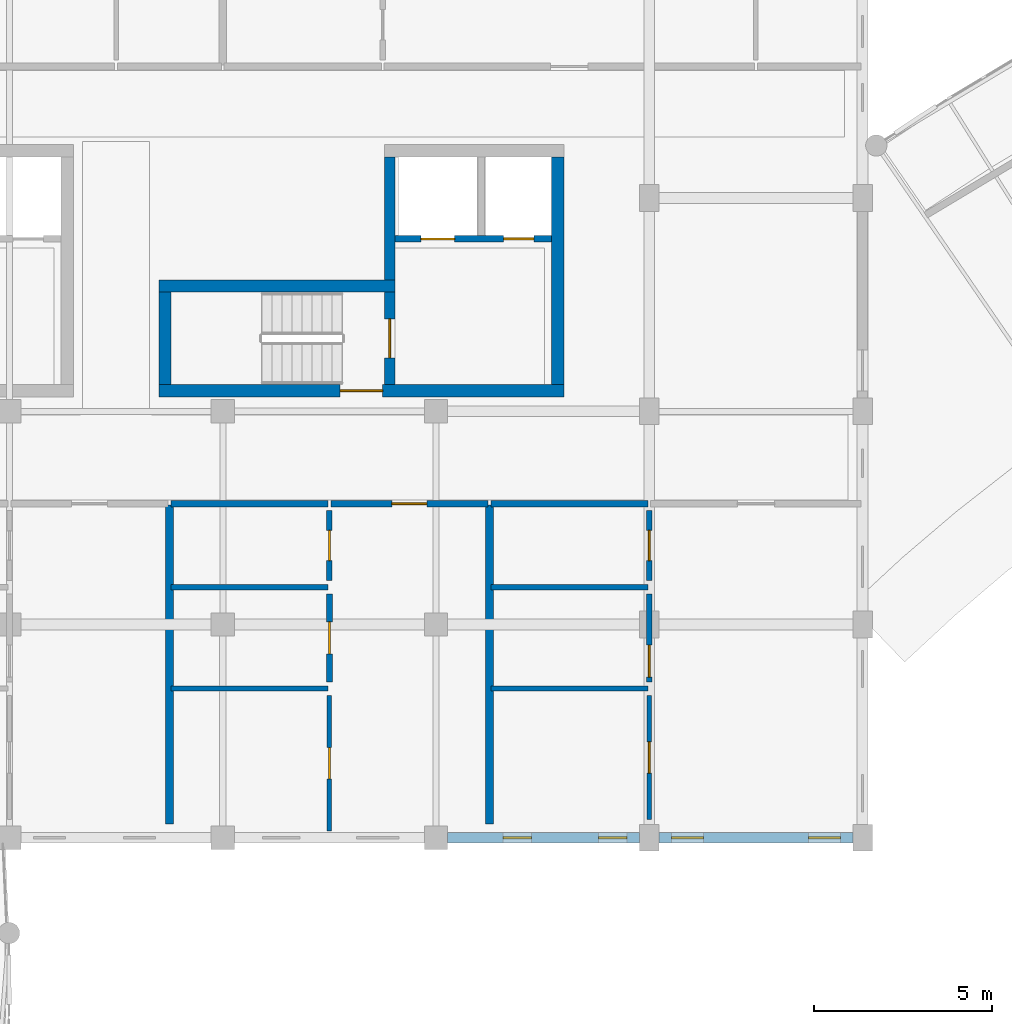
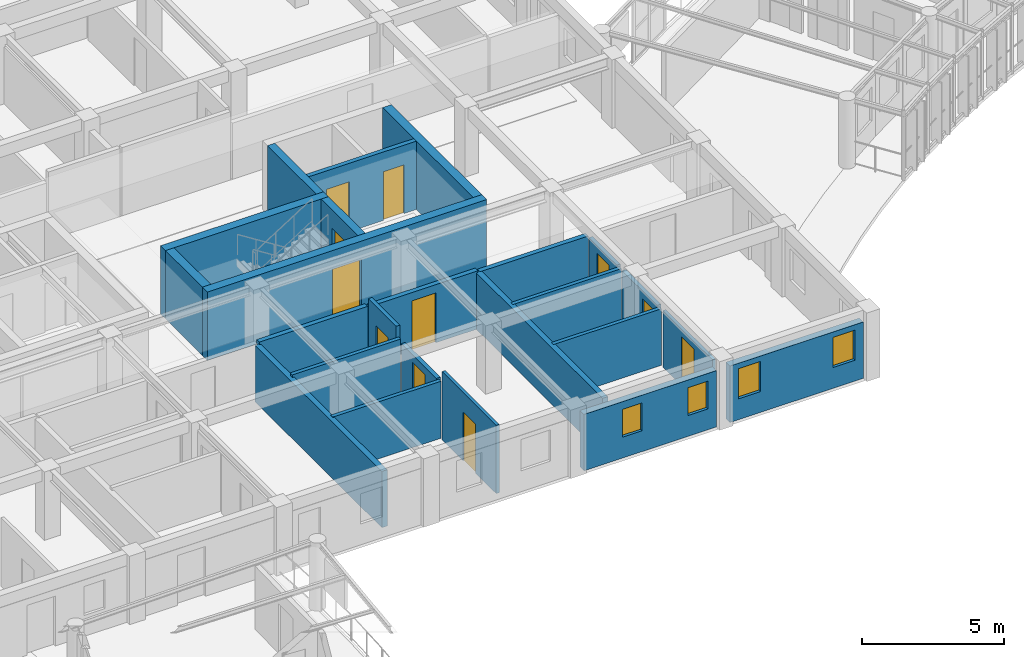
# One storey, part 70 of 100: 24 walls, 11 doors, 4 windows, 15 openings.
"""IFC4 building model written with IfcOpenShell, lengths in metres."""

from ifc_helpers import new_model, si_unit, direction, frame, frame_2d, origin, place, context, subcontext, project, spatial, rectangle, extrude, material, layer, layer_set, type_object, element, fill, save


model = new_model("IFC4")

# Units and contexts
model_context = context("Model", 3, precision=1e-05, world=origin(), true_north=direction((0.0, 1.0)))
body_context = subcontext(model_context, "Body", "Model", "MODEL_VIEW")
ifc_project = project(units=[si_unit("LENGTHUNIT", "METRE"), si_unit("AREAUNIT", "SQUARE_METRE"), si_unit("VOLUMEUNIT", "CUBIC_METRE"), si_unit("PLANEANGLEUNIT", "RADIAN"), si_unit("MASSUNIT", "GRAM", prefix="KILO"), si_unit("POWERUNIT", "WATT"), si_unit("THERMODYNAMICTEMPERATUREUNIT", "KELVIN")], contexts=[model_context])

# Site, building, storey
site_placement = place(None, origin())
site = spatial("IfcSite", under=ifc_project, at=site_placement, CompositionType="ELEMENT")
building_placement = place(site_placement, origin())
building = spatial("IfcBuilding", under=site, at=building_placement, Name="Ruvembo Vaulted Housing Court", CompositionType="ELEMENT")
storey_placement = place(building_placement, frame((0.0, 0.0, 14.10009765625)))
storey = spatial("IfcBuildingStorey", under=building, at=storey_placement, Name="L04", CompositionType="ELEMENT", Elevation=14.10009765625)

# Wall, opening, door
ifc_material_1 = material(Name="Concrete C35/45", Category="concrete")
ifc_layer_1 = layer(ifc_material_1, 0.300048828125, Name="Concrete C35/45")
ifc_layer_set_1 = layer_set([ifc_layer_1], Name="Concrete C35/45")
wall_type_1 = type_object("IfcWallType", Name="WL-CORE-300", PredefinedType="SHEAR", material=ifc_layer_set_1)
wall_1_placement = place(storey_placement, frame((70.699951171875, 90.75, 0.0), z_axis=(0.0, 0.0, 1.0), x_axis=(0.0, 1.0, 0.0)))
wall_1 = element("IfcWall", 1, at=wall_1_placement, inside=storey, type_object=wall_type_1, Name="Core B2 L04 Stair-Lobby Shear Wall", PredefinedType="SHEAR", context=body_context, shape_type="SweptSolid", body=[
    extrude(rectangle(XDim=2.60009765625, YDim=0.300048828125, at=frame_2d((1.300048828125, 0.0))), origin(), (0.0, 0.0, 1.0), 2.949951171875),
])
opening_1_placement = place(wall_1_placement, frame((0.75, 0.0, 0.0)))
opening_1 = element("IfcOpeningElement", 2, at=opening_1_placement, cuts=wall_1, Name="Opening SD2", PredefinedType="OPENING", context=body_context, shape_type="SweptSolid", body=[
    extrude(rectangle(XDim=1.10009765625, YDim=2.14990234375, at=frame_2d((0.550048828125, 1.074951171875))), frame((0.0, 0.159912109375, 0.0), z_axis=(0.0, -1.0, 0.0), x_axis=(1.0, 0.0, 0.0)), (0.0, 0.0, 1.0), 0.320068359375),
])
ifc_material_2 = material(Name="Galvanised Painted Steel", Category="steel")
door_type_1 = type_object("IfcDoorType", Name="DR-STAIR-1100x2150", OperationType="NOTDEFINED", PredefinedType="DOOR", material=ifc_material_2)
door_1_placement = place(opening_1_placement, origin())
door_1 = element("IfcDoor", 3, at=door_1_placement, inside=storey, type_object=door_type_1, Name="Stair ST-B2 L04 Fire Door", OperationType="SINGLE_SWING_RIGHT", OverallHeight=2.14990234375, OverallWidth=1.10009765625, PredefinedType="DOOR", context=body_context, shape_type="SweptSolid", body=[
    extrude(rectangle(XDim=1.10009765625, YDim=2.14990234375, at=frame_2d((0.550048828125, 1.074951171875))), frame((0.0, 0.02490234375, 0.0), z_axis=(0.0, -1.0, 0.0), x_axis=(1.0, 0.0, 0.0)), (0.0, 0.0, 1.0), 0.050048828125),
])
fill(opening_1, door_1)

# Wall
wall_2_placement = place(storey_placement, frame((70.699951171875, 93.699951171875, 0.0), z_axis=(0.0, 0.0, 1.0), x_axis=(0.0, 1.0, 0.0)))
element("IfcWall", 4, at=wall_2_placement, inside=storey, type_object=wall_type_1, Name="Core B2 L04 Upper West Shear Wall", PredefinedType="SHEAR", context=body_context, shape_type="SweptSolid", body=[
    extrude(rectangle(XDim=3.449951171875, YDim=0.300048828125, at=frame_2d((1.72509765625, 0.0))), origin(), (0.0, 0.0, 1.0), 2.949951171875),
])

# Wall, opening, door
ifc_layer_2 = layer(ifc_material_1, 0.35009765625, Name="Concrete C35/45")
ifc_layer_set_2 = layer_set([ifc_layer_2], Name="Concrete C35/45")
wall_type_2 = type_object("IfcWallType", Name="WL-CORE-350", PredefinedType="SHEAR", material=ifc_layer_set_2)
wall_3_placement = place(storey_placement, frame((64.199951171875, 90.574951171875, 0.0), z_axis=(0.0, 0.0, 1.0), x_axis=(1.0, 0.0, 0.0)))
wall_3 = element("IfcWall", 5, at=wall_3_placement, inside=storey, type_object=wall_type_2, Name="Core B2 L04 South Shear Wall", PredefinedType="SHEAR", context=body_context, shape_type="SweptSolid", body=[
    extrude(rectangle(XDim=11.400146484375, YDim=0.35009765625, at=frame_2d((5.7001953125, 0.0))), origin(), (0.0, 0.0, 1.0), 2.949951171875),
])
opening_2_placement = place(wall_3_placement, frame((5.10009765625, 0.0, 0.0)))
opening_2 = element("IfcOpeningElement", 6, at=opening_2_placement, cuts=wall_3, Name="Opening LD3", PredefinedType="OPENING", context=body_context, shape_type="SweptSolid", body=[
    extrude(rectangle(XDim=1.199951171875, YDim=2.14990234375, at=frame_2d((0.60009765625, 1.074951171875))), frame((0.0, 0.18505859375, 0.0), z_axis=(0.0, -1.0, 0.0), x_axis=(1.0, 0.0, 0.0)), (0.0, 0.0, 1.0), 0.3701171875),
])
door_type_2 = type_object("IfcDoorType", Name="DR-LOB-1200x2150", OperationType="NOTDEFINED", PredefinedType="DOOR", material=ifc_material_2)
door_2_placement = place(opening_2_placement, origin())
door_2 = element("IfcDoor", 7, at=door_2_placement, inside=storey, type_object=door_type_2, Name="Core B2 L04 Lobby Fire Door", OperationType="SINGLE_SWING_LEFT", OverallHeight=2.14990234375, OverallWidth=1.199951171875, PredefinedType="DOOR", context=body_context, shape_type="SweptSolid", body=[
    extrude(rectangle(XDim=1.199951171875, YDim=2.14990234375, at=frame_2d((0.60009765625, 1.074951171875))), frame((0.0, 0.02490234375, 0.0), z_axis=(0.0, -1.0, 0.0), x_axis=(1.0, 0.0, 0.0)), (0.0, 0.0, 1.0), 0.050048828125),
])
fill(opening_2, door_2)

# Walls
wall_4_placement = place(storey_placement, frame((70.85009765625, 93.52490234375, 0.0), z_axis=(0.0, 0.0, 1.0), x_axis=(-1.0, 0.0, 0.0)))
element("IfcWall", 8, at=wall_4_placement, inside=storey, type_object=wall_type_2, Name="Core B2 L04 Stair North Shear Wall", PredefinedType="SHEAR", context=body_context, shape_type="SweptSolid", body=[
    extrude(rectangle(XDim=6.650146484375, YDim=0.35009765625, at=frame_2d((3.3251953125, 0.0))), origin(), (0.0, 0.0, 1.0), 2.949951171875),
])
wall_5_placement = place(storey_placement, frame((64.375, 93.35009765625, 0.0), z_axis=(0.0, 0.0, 1.0), x_axis=(0.0, -1.0, 0.0)))
element("IfcWall", 9, at=wall_5_placement, inside=storey, type_object=wall_type_2, Name="Core B2 L04 Stair West Shear Wall", PredefinedType="SHEAR", context=body_context, shape_type="SweptSolid", body=[
    extrude(rectangle(XDim=2.60009765625, YDim=0.35009765625, at=frame_2d((1.300048828125, 0.0))), origin(), (0.0, 0.0, 1.0), 2.949951171875),
])
wall_6_placement = place(storey_placement, frame((75.425048828125, 90.75, 0.0), z_axis=(0.0, 0.0, 1.0), x_axis=(0.0, 1.0, 0.0)))
element("IfcWall", 10, at=wall_6_placement, inside=storey, type_object=wall_type_2, Name="Core B2 L04 East Shear Wall", PredefinedType="SHEAR", context=body_context, shape_type="SweptSolid", body=[
    extrude(rectangle(XDim=6.39990234375, YDim=0.35009765625, at=frame_2d((3.199951171875, 0.0))), origin(), (0.0, 0.0, 1.0), 2.949951171875),
])
ifc_material_3 = material(Name="Concrete Blockwork 190", Category="masonry")
ifc_layer_3 = layer(ifc_material_3, 0.18994140625, Name="Concrete Blockwork 190")
ifc_layer_set_3 = layer_set([ifc_layer_3], Name="Concrete Blockwork 190")
wall_type_3 = type_object("IfcWallType", Name="WL-CORR-190", PredefinedType="SOLIDWALL", material=ifc_layer_set_3)
wall_7_placement = place(storey_placement, frame((64.5400390625, 87.39990234375, 0.0), z_axis=(0.0, 0.0, 1.0), x_axis=(1.0, 0.0, 0.0)))
element("IfcWall", 11, at=wall_7_placement, inside=storey, type_object=wall_type_3, Name="L04 Flat B-L04-S3 Corridor Wall WL-INT-L04-01154", PredefinedType="SOLIDWALL", context=body_context, shape_type="SweptSolid", body=[
    extrude(rectangle(XDim=4.419921875, YDim=0.18994140625, at=frame_2d((2.2099609375, 0.0))), origin(), (0.0, 0.0, 1.0), 2.5478515625),
])

# Wall, opening, door
wall_8_placement = place(storey_placement, frame((69.0400390625, 87.39990234375, 0.0), z_axis=(0.0, 0.0, 1.0), x_axis=(1.0, 0.0, 0.0)))
wall_8 = element("IfcWall", 12, at=wall_8_placement, inside=storey, type_object=wall_type_3, Name="L04 Flat B-L04-S3 Entrance WL-INT-L04-01155", PredefinedType="SOLIDWALL", context=body_context, shape_type="SweptSolid", body=[
    extrude(rectangle(XDim=4.419921875, YDim=0.18994140625, at=frame_2d((2.2099609375, 0.0))), origin(), (0.0, 0.0, 1.0), 2.5078125),
])
opening_3_placement = place(wall_8_placement, frame((1.719970703125, 0.0, 0.0)))
opening_3 = element("IfcOpeningElement", 13, at=opening_3_placement, cuts=wall_8, Name="Opening FD2", PredefinedType="OPENING", context=body_context, shape_type="SweptSolid", body=[
    extrude(rectangle(XDim=0.97998046875, YDim=2.14990234375, at=frame_2d((0.489990234375, 1.074951171875))), frame((0.0, 0.10498046875, 0.0), z_axis=(0.0, -1.0, 0.0), x_axis=(1.0, 0.0, 0.0)), (0.0, 0.0, 1.0), 0.2099609375),
])
ifc_material_4 = material(Name="FSC Hardwood and Engineered Timber", Category="wood")
door_type_3 = type_object("IfcDoorType", Name="DR-FLAT-0980x2150", OperationType="NOTDEFINED", PredefinedType="DOOR", material=ifc_material_4)
door_3_placement = place(opening_3_placement, origin())
door_3 = element("IfcDoor", 14, at=door_3_placement, inside=storey, type_object=door_type_3, Name="L04 Flat B-L04-S3 Entrance Door DR-INT-L04-00646", OperationType="SINGLE_SWING_RIGHT", OverallHeight=2.14990234375, OverallWidth=0.97998046875, PredefinedType="DOOR", context=body_context, shape_type="SweptSolid", body=[
    extrude(rectangle(XDim=0.97998046875, YDim=2.14990234375, at=frame_2d((0.489990234375, 1.074951171875))), frame((0.0, 0.02490234375, 0.0), z_axis=(0.0, -1.0, 0.0), x_axis=(1.0, 0.0, 0.0)), (0.0, 0.0, 1.0), 0.050048828125),
])
fill(opening_3, door_3)

# Walls
wall_9_placement = place(storey_placement, frame((73.5400390625, 87.39990234375, 0.0), z_axis=(0.0, 0.0, 1.0), x_axis=(1.0, 0.0, 0.0)))
element("IfcWall", 15, at=wall_9_placement, inside=storey, type_object=wall_type_3, Name="L04 Flat B-L04-S4 Corridor Wall WL-INT-L04-01161", PredefinedType="SOLIDWALL", context=body_context, shape_type="SweptSolid", body=[
    extrude(rectangle(XDim=4.419921875, YDim=0.18994140625, at=frame_2d((2.2099609375, 0.0))), origin(), (0.0, 0.0, 1.0), 2.431884765625),
])
ifc_material_5 = material(Name="Acoustic Masonry Demising 220", Category="masonry")
ifc_layer_4 = layer(ifc_material_5, 0.219970703125, Name="Acoustic Masonry Demising 220")
ifc_layer_set_4 = layer_set([ifc_layer_4], Name="Acoustic Masonry Demising 220")
wall_type_4 = type_object("IfcWallType", Name="WL-DEM-200", PredefinedType="SOLIDWALL", material=ifc_layer_set_4)
for number, where, z_axis, x_axis, name in (
    (16, (64.5, 78.389892578125, 0.0), (0.0, 0.0, 1.0), (0.0, 1.0, 0.0), "L04 Demising B-L04-S2 WL-INT-L04-01145"),
    (17, (73.5, 78.389892578125, 0.0), (0.0, 0.0, 1.0), (0.0, 1.0, 0.0), "L04 Demising B-L04-S3 WL-INT-L04-01153"),
):
    element("IfcWall", number, at=place(storey_placement, frame(where, z_axis=z_axis, x_axis=x_axis)), inside=storey, type_object=wall_type_4, Name=name, PredefinedType="SOLIDWALL", context=body_context, shape_type="SweptSolid", body=[
        extrude(rectangle(XDim=8.97021484375, YDim=0.219970703125, at=frame_2d((4.485107421875, 0.0))), origin(), (0.0, 0.0, 1.0), 2.431884765625),
    ])

# Wall, openings, windows
ifc_material_6 = material(Name="Rendered Masonry 285", Category="masonry")
ifc_layer_5 = layer(ifc_material_6, 0.284912109375, Name="Rendered Masonry 285")
ifc_layer_set_5 = layer_set([ifc_layer_5], Name="Rendered Masonry 285")
wall_type_5 = type_object("IfcWallType", Name="WL-EXT-285", PredefinedType="STANDARD", material=ifc_layer_set_5)
wall_10_placement = place(storey_placement, frame((72.324951171875, 78.0, 0.0), z_axis=(0.0, 0.0, 1.0), x_axis=(1.0, 0.0, 0.0)))
wall_10 = element("IfcWall", 18, at=wall_10_placement, inside=storey, type_object=wall_type_5, Name="Block B L04 Exterior Wall COURTYARD #5", PredefinedType="STANDARD", context=body_context, shape_type="SweptSolid", body=[
    extrude(rectangle(XDim=5.400146484375, YDim=0.284912109375, at=frame_2d((2.7001953125, 0.0))), origin(), (0.0, 0.0, 1.0), 2.431884765625),
])
opening_4_placement = place(wall_10_placement, frame((1.56494140625, 0.0, 0.89990234375)))
opening_4 = element("IfcOpeningElement", 19, at=opening_4_placement, cuts=wall_10, Name="Opening W02", PredefinedType="OPENING", context=body_context, shape_type="SweptSolid", body=[
    extrude(rectangle(XDim=0.800048828125, YDim=1.199951171875, at=frame_2d((0.39990234375, 0.60009765625))), frame((0.0, 0.15234375, 0.0), z_axis=(0.0, -1.0, 0.0), x_axis=(1.0, 0.0, 0.0)), (0.0, 0.0, 1.0), 0.304931640625),
])
opening_5_placement = place(wall_10_placement, frame((4.25, 0.0, 0.89990234375)))
opening_5 = element("IfcOpeningElement", 20, at=opening_5_placement, cuts=wall_10, Name="Opening W02", PredefinedType="OPENING", context=body_context, shape_type="SweptSolid", body=[
    extrude(rectangle(XDim=0.800048828125, YDim=1.199951171875, at=frame_2d((0.39990234375, 0.60009765625))), frame((0.0, 0.15234375, 0.0), z_axis=(0.0, -1.0, 0.0), x_axis=(1.0, 0.0, 0.0)), (0.0, 0.0, 1.0), 0.304931640625),
])
ifc_material_7 = material(Name="Double Solar-Control Glazing in Aluminium Frame", Category="aluminium")
window_type_1 = type_object("IfcWindowType", Name="WIN-0800x1200", PartitioningType="SINGLE_PANEL", PredefinedType="WINDOW", material=ifc_material_7)
window_1_placement = place(opening_4_placement, origin())
window_1 = element("IfcWindow", 21, at=window_1_placement, inside=storey, type_object=window_type_1, Name="Block B L04 Window #774", OverallHeight=1.199951171875, OverallWidth=0.800048828125, PartitioningType="SINGLE_PANEL", PredefinedType="WINDOW", context=body_context, shape_type="SweptSolid", body=[
    extrude(rectangle(XDim=0.800048828125, YDim=1.199951171875, at=frame_2d((0.39990234375, 0.60009765625))), frame((0.0, 0.030029296875, 0.0), z_axis=(0.0, -1.0, 0.0), x_axis=(1.0, 0.0, 0.0)), (0.0, 0.0, 1.0), 0.06005859375),
])
fill(opening_4, window_1)
window_2_placement = place(opening_5_placement, origin())
window_2 = element("IfcWindow", 22, at=window_2_placement, inside=storey, type_object=window_type_1, Name="Block B L04 Window #775", OverallHeight=1.199951171875, OverallWidth=0.800048828125, PartitioningType="SINGLE_PANEL", PredefinedType="WINDOW", context=body_context, shape_type="SweptSolid", body=[
    extrude(rectangle(XDim=0.800048828125, YDim=1.199951171875, at=frame_2d((0.39990234375, 0.60009765625))), frame((0.0, 0.030029296875, 0.0), z_axis=(0.0, -1.0, 0.0), x_axis=(1.0, 0.0, 0.0)), (0.0, 0.0, 1.0), 0.06005859375),
])
fill(opening_5, window_2)

wall_11_placement = place(storey_placement, frame((78.27490234375, 78.0, 0.0), z_axis=(0.0, 0.0, 1.0), x_axis=(1.0, 0.0, 0.0)))
wall_11 = element("IfcWall", 23, at=wall_11_placement, inside=storey, type_object=wall_type_5, Name="Block B L04 Exterior Wall COURTYARD #6", PredefinedType="STANDARD", context=body_context, shape_type="SweptSolid", body=[
    extrude(rectangle(XDim=5.4501953125, YDim=0.284912109375, at=frame_2d((2.72509765625, 0.0))), origin(), (0.0, 0.0, 1.0), 2.431884765625),
])
opening_6_placement = place(wall_11_placement, frame((0.35009765625, 0.0, 0.89990234375)))
opening_6 = element("IfcOpeningElement", 24, at=opening_6_placement, cuts=wall_11, Name="Opening W04", PredefinedType="OPENING", context=body_context, shape_type="SweptSolid", body=[
    extrude(rectangle(XDim=0.89990234375, YDim=1.300048828125, at=frame_2d((0.449951171875, 0.64990234375))), frame((0.0, 0.15234375, 0.0), z_axis=(0.0, -1.0, 0.0), x_axis=(1.0, 0.0, 0.0)), (0.0, 0.0, 1.0), 0.304931640625),
])
opening_7_placement = place(wall_11_placement, frame((4.199951171875, 0.0, 0.89990234375)))
opening_7 = element("IfcOpeningElement", 25, at=opening_7_placement, cuts=wall_11, Name="Opening W04", PredefinedType="OPENING", context=body_context, shape_type="SweptSolid", body=[
    extrude(rectangle(XDim=0.89990234375, YDim=1.300048828125, at=frame_2d((0.449951171875, 0.64990234375))), frame((0.0, 0.15234375, 0.0), z_axis=(0.0, -1.0, 0.0), x_axis=(1.0, 0.0, 0.0)), (0.0, 0.0, 1.0), 0.304931640625),
])
window_type_2 = type_object("IfcWindowType", Name="WIN-0900x1300", PartitioningType="SINGLE_PANEL", PredefinedType="WINDOW", material=ifc_material_7)
window_3_placement = place(opening_6_placement, origin())
window_3 = element("IfcWindow", 26, at=window_3_placement, inside=storey, type_object=window_type_2, Name="Block B L04 Window #776", OverallHeight=1.300048828125, OverallWidth=0.89990234375, PartitioningType="SINGLE_PANEL", PredefinedType="WINDOW", context=body_context, shape_type="SweptSolid", body=[
    extrude(rectangle(XDim=0.89990234375, YDim=1.300048828125, at=frame_2d((0.449951171875, 0.64990234375))), frame((0.0, 0.030029296875, 0.0), z_axis=(0.0, -1.0, 0.0), x_axis=(1.0, 0.0, 0.0)), (0.0, 0.0, 1.0), 0.06005859375),
])
fill(opening_6, window_3)
window_4_placement = place(opening_7_placement, origin())
window_4 = element("IfcWindow", 27, at=window_4_placement, inside=storey, type_object=window_type_2, Name="Block B L04 Window #777", OverallHeight=1.300048828125, OverallWidth=0.89990234375, PartitioningType="SINGLE_PANEL", PredefinedType="WINDOW", context=body_context, shape_type="SweptSolid", body=[
    extrude(rectangle(XDim=0.89990234375, YDim=1.300048828125, at=frame_2d((0.449951171875, 0.64990234375))), frame((0.0, 0.030029296875, 0.0), z_axis=(0.0, -1.0, 0.0), x_axis=(1.0, 0.0, 0.0)), (0.0, 0.0, 1.0), 0.06005859375),
])
fill(opening_7, window_4)

# Wall, opening, door
ifc_material_8 = material(Name="Plasterboard Stud Partition 125", Category="gypsum")
ifc_layer_6 = layer(ifc_material_8, 0.125, Name="Plasterboard Stud Partition 125")
ifc_layer_set_6 = layer_set([ifc_layer_6], Name="Plasterboard Stud Partition 125")
wall_type_6 = type_object("IfcWallType", Name="WL-PART-125", PredefinedType="PARTITIONING", material=ifc_layer_set_6)
wall_12_placement = place(storey_placement, frame((69.0, 78.18994140625, 0.0), z_axis=(0.0, 0.0, 1.0), x_axis=(0.0, 1.0, 0.0)))
wall_12 = element("IfcWall", 28, at=wall_12_placement, inside=storey, type_object=wall_type_6, Name="L04 Flat B-L04-S3 Bedroom 1 WL-INT-L04-01156", PredefinedType="PARTITIONING", context=body_context, shape_type="SweptSolid", body=[
    extrude(rectangle(XDim=3.820068359375, YDim=0.125, at=frame_2d((1.91015625, 0.0))), origin(), (0.0, 0.0, 1.0), 2.949951171875),
])
opening_8_placement = place(wall_12_placement, frame((1.469970703125, 0.0, 0.0)))
opening_8 = element("IfcOpeningElement", 29, at=opening_8_placement, cuts=wall_12, Name="Opening ID3", PredefinedType="OPENING", context=body_context, shape_type="SweptSolid", body=[
    extrude(rectangle(XDim=0.8798828125, YDim=2.10009765625, at=frame_2d((0.43994140625, 1.050048828125))), frame((0.0, 0.072509765625, 0.0), z_axis=(0.0, -1.0, 0.0), x_axis=(1.0, 0.0, 0.0)), (0.0, 0.0, 1.0), 0.14501953125),
])
door_type_4 = type_object("IfcDoorType", Name="DR-ROOM-0880x2100", OperationType="NOTDEFINED", PredefinedType="DOOR", material=ifc_material_4)
door_4_placement = place(opening_8_placement, origin())
door_4 = element("IfcDoor", 30, at=door_4_placement, inside=storey, type_object=door_type_4, Name="L04 Flat B-L04-S3 Bedroom 1 Door DR-INT-L04-00647", OperationType="SINGLE_SWING_LEFT", OverallHeight=2.10009765625, OverallWidth=0.8798828125, PredefinedType="DOOR", context=body_context, shape_type="SweptSolid", body=[
    extrude(rectangle(XDim=0.8798828125, YDim=2.10009765625, at=frame_2d((0.43994140625, 1.050048828125))), frame((0.0, 0.02490234375, 0.0), z_axis=(0.0, -1.0, 0.0), x_axis=(1.0, 0.0, 0.0)), (0.0, 0.0, 1.0), 0.050048828125),
])
fill(opening_8, door_4)

wall_13_placement = place(storey_placement, frame((78.0, 78.510009765625, 0.0), z_axis=(0.0, 0.0, 1.0), x_axis=(0.0, 1.0, 0.0)))
wall_13 = element("IfcWall", 31, at=wall_13_placement, inside=storey, type_object=wall_type_6, Name="L04 Flat B-L04-S4 Bedroom 1 WL-INT-L04-01163", PredefinedType="PARTITIONING", context=body_context, shape_type="SweptSolid", body=[
    extrude(rectangle(XDim=3.5, YDim=0.125, at=frame_2d((1.75, 0.0))), origin(), (0.0, 0.0, 1.0), 2.431884765625),
])
opening_9_placement = place(wall_13_placement, frame((1.31005859375, 0.0, 0.0)))
opening_9 = element("IfcOpeningElement", 32, at=opening_9_placement, cuts=wall_13, Name="Opening ID3", PredefinedType="OPENING", context=body_context, shape_type="SweptSolid", body=[
    extrude(rectangle(XDim=0.8798828125, YDim=2.10009765625, at=frame_2d((0.43994140625, 1.050048828125))), frame((0.0, 0.072509765625, 0.0), z_axis=(0.0, -1.0, 0.0), x_axis=(1.0, 0.0, 0.0)), (0.0, 0.0, 1.0), 0.14501953125),
])
door_5_placement = place(opening_9_placement, origin())
door_5 = element("IfcDoor", 33, at=door_5_placement, inside=storey, type_object=door_type_4, Name="L04 Flat B-L04-S4 Bedroom 1 Door DR-INT-L04-00651", OperationType="SINGLE_SWING_LEFT", OverallHeight=2.10009765625, OverallWidth=0.8798828125, PredefinedType="DOOR", context=body_context, shape_type="SweptSolid", body=[
    extrude(rectangle(XDim=0.8798828125, YDim=2.10009765625, at=frame_2d((0.43994140625, 1.050048828125))), frame((0.0, 0.02490234375, 0.0), z_axis=(0.0, -1.0, 0.0), x_axis=(1.0, 0.0, 0.0)), (0.0, 0.0, 1.0), 0.050048828125),
])
fill(opening_9, door_5)

ifc_material_9 = material(Name="Moisture-Resistant Wet Partition 150", Category="gypsum")
ifc_layer_7 = layer(ifc_material_9, 0.14990234375, Name="Moisture-Resistant Wet Partition 150")
ifc_layer_set_7 = layer_set([ifc_layer_7], Name="Moisture-Resistant Wet Partition 150")
wall_type_7 = type_object("IfcWallType", Name="WL-PART-150", PredefinedType="PARTITIONING", material=ifc_layer_set_7)
wall_14_placement = place(storey_placement, frame((69.0, 85.239990234375, 0.0), z_axis=(0.0, 0.0, 1.0), x_axis=(0.0, 1.0, 0.0)))
wall_14 = element("IfcWall", 34, at=wall_14_placement, inside=storey, type_object=wall_type_7, Name="L04 Flat B-L04-S3 Bathroom WL-INT-L04-01158", PredefinedType="PARTITIONING", context=body_context, shape_type="SweptSolid", body=[
    extrude(rectangle(XDim=1.969970703125, YDim=0.14990234375, at=frame_2d((0.98486328125, 0.0))), origin(), (0.0, 0.0, 1.0), 2.949951171875),
])
opening_10_placement = place(wall_14_placement, frame((0.56005859375, 0.0, 0.0)))
opening_10 = element("IfcOpeningElement", 35, at=opening_10_placement, cuts=wall_14, Name="Opening ID2", PredefinedType="OPENING", context=body_context, shape_type="SweptSolid", body=[
    extrude(rectangle(XDim=0.85009765625, YDim=2.10009765625, at=frame_2d((0.425048828125, 1.050048828125))), frame((0.0, 0.0849609375, 0.0), z_axis=(0.0, -1.0, 0.0), x_axis=(1.0, 0.0, 0.0)), (0.0, 0.0, 1.0), 0.169921875),
])
door_type_5 = type_object("IfcDoorType", Name="DR-WET-0850x2100", OperationType="NOTDEFINED", PredefinedType="DOOR", material=ifc_material_4)
door_6_placement = place(opening_10_placement, origin())
door_6 = element("IfcDoor", 36, at=door_6_placement, inside=storey, type_object=door_type_5, Name="L04 Flat B-L04-S3 Bathroom Door DR-INT-L04-00649", OperationType="SINGLE_SWING_LEFT", OverallHeight=2.10009765625, OverallWidth=0.85009765625, PredefinedType="DOOR", context=body_context, shape_type="SweptSolid", body=[
    extrude(rectangle(XDim=0.85009765625, YDim=2.10009765625, at=frame_2d((0.425048828125, 1.050048828125))), frame((0.0, 0.02490234375, 0.0), z_axis=(0.0, -1.0, 0.0), x_axis=(1.0, 0.0, 0.0)), (0.0, 0.0, 1.0), 0.050048828125),
])
fill(opening_10, door_6)

# Walls
wall_15_placement = place(storey_placement, frame((64.5400390625, 82.199951171875, 0.0), z_axis=(0.0, 0.0, 1.0), x_axis=(1.0, 0.0, 0.0)))
element("IfcWall", 37, at=wall_15_placement, inside=storey, type_object=wall_type_7, Name="L04 Flat B-L04-S3 Wet Wall 1 WL-INT-L04-01159", PredefinedType="PARTITIONING", context=body_context, shape_type="SweptSolid", body=[
    extrude(rectangle(XDim=4.419921875, YDim=0.14990234375, at=frame_2d((2.2099609375, 0.0))), origin(), (0.0, 0.0, 1.0), 2.4580078125),
])
wall_16_placement = place(storey_placement, frame((64.5400390625, 85.050048828125, 0.0), z_axis=(0.0, 0.0, 1.0), x_axis=(1.0, 0.0, 0.0)))
element("IfcWall", 38, at=wall_16_placement, inside=storey, type_object=wall_type_7, Name="L04 Flat B-L04-S3 Wet Wall 2 WL-INT-L04-01160", PredefinedType="PARTITIONING", context=body_context, shape_type="SweptSolid", body=[
    extrude(rectangle(XDim=4.419921875, YDim=0.14990234375, at=frame_2d((2.2099609375, 0.0))), origin(), (0.0, 0.0, 1.0), 2.5478515625),
])

# Wall, opening, door
wall_17_placement = place(storey_placement, frame((78.0, 85.239990234375, 0.0), z_axis=(0.0, 0.0, 1.0), x_axis=(0.0, 1.0, 0.0)))
wall_17 = element("IfcWall", 39, at=wall_17_placement, inside=storey, type_object=wall_type_7, Name="L04 Flat B-L04-S4 Bathroom WL-INT-L04-01165", PredefinedType="PARTITIONING", context=body_context, shape_type="SweptSolid", body=[
    extrude(rectangle(XDim=1.969970703125, YDim=0.14990234375, at=frame_2d((0.98486328125, 0.0))), origin(), (0.0, 0.0, 1.0), 2.431884765625),
])
opening_11_placement = place(wall_17_placement, frame((0.56005859375, 0.0, 0.0)))
opening_11 = element("IfcOpeningElement", 40, at=opening_11_placement, cuts=wall_17, Name="Opening ID2", PredefinedType="OPENING", context=body_context, shape_type="SweptSolid", body=[
    extrude(rectangle(XDim=0.85009765625, YDim=2.10009765625, at=frame_2d((0.425048828125, 1.050048828125))), frame((0.0, 0.0849609375, 0.0), z_axis=(0.0, -1.0, 0.0), x_axis=(1.0, 0.0, 0.0)), (0.0, 0.0, 1.0), 0.169921875),
])
door_7_placement = place(opening_11_placement, origin())
door_7 = element("IfcDoor", 41, at=door_7_placement, inside=storey, type_object=door_type_5, Name="L04 Flat B-L04-S4 Bathroom Door DR-INT-L04-00653", OperationType="SINGLE_SWING_LEFT", OverallHeight=2.10009765625, OverallWidth=0.85009765625, PredefinedType="DOOR", context=body_context, shape_type="SweptSolid", body=[
    extrude(rectangle(XDim=0.85009765625, YDim=2.10009765625, at=frame_2d((0.425048828125, 1.050048828125))), frame((0.0, 0.02490234375, 0.0), z_axis=(0.0, -1.0, 0.0), x_axis=(1.0, 0.0, 0.0)), (0.0, 0.0, 1.0), 0.050048828125),
])
fill(opening_11, door_7)

# Walls
for number, where, z_axis, x_axis, name in (
    (42, (73.5400390625, 82.199951171875, 0.0), (0.0, 0.0, 1.0), (1.0, 0.0, 0.0), "L04 Flat B-L04-S4 Wet Wall 1 WL-INT-L04-01166"),
    (43, (73.5400390625, 85.050048828125, 0.0), (0.0, 0.0, 1.0), (1.0, 0.0, 0.0), "L04 Flat B-L04-S4 Wet Wall 2 WL-INT-L04-01167"),
):
    element("IfcWall", number, at=place(storey_placement, frame(where, z_axis=z_axis, x_axis=x_axis)), inside=storey, type_object=wall_type_7, Name=name, PredefinedType="PARTITIONING", context=body_context, shape_type="SweptSolid", body=[
        extrude(rectangle(XDim=4.419921875, YDim=0.14990234375, at=frame_2d((2.2099609375, 0.0))), origin(), (0.0, 0.0, 1.0), 2.431884765625),
    ])

# Wall, opening, door
ifc_material_10 = material(Name="Acoustic Service Chase Wall 160", Category="gypsum")
ifc_layer_8 = layer(ifc_material_10, 0.159912109375, Name="Acoustic Service Chase Wall 160")
ifc_layer_set_8 = layer_set([ifc_layer_8], Name="Acoustic Service Chase Wall 160")
wall_type_8 = type_object("IfcWallType", Name="WL-PLUMB-160", PredefinedType="PLUMBINGWALL", material=ifc_layer_set_8)
wall_18_placement = place(storey_placement, frame((69.0, 82.389892578125, 0.0), z_axis=(0.0, 0.0, 1.0), x_axis=(0.0, 1.0, 0.0)))
wall_18 = element("IfcWall", 44, at=wall_18_placement, inside=storey, type_object=wall_type_8, Name="L04 Flat B-L04-S3 Kitchen WL-INT-L04-01157", PredefinedType="PLUMBINGWALL", context=body_context, shape_type="SweptSolid", body=[
    extrude(rectangle(XDim=2.47021484375, YDim=0.159912109375, at=frame_2d((1.235107421875, 0.0))), origin(), (0.0, 0.0, 1.0), 2.431884765625),
])
opening_12_placement = place(wall_18_placement, frame((0.784912109375, 0.0, 0.0)))
opening_12 = element("IfcOpeningElement", 45, at=opening_12_placement, cuts=wall_18, Name="Opening ID1", PredefinedType="OPENING", context=body_context, shape_type="SweptSolid", body=[
    extrude(rectangle(XDim=0.89990234375, YDim=2.10009765625, at=frame_2d((0.449951171875, 1.050048828125))), frame((0.0, 0.08984375, 0.0), z_axis=(0.0, -1.0, 0.0), x_axis=(1.0, 0.0, 0.0)), (0.0, 0.0, 1.0), 0.179931640625),
])
door_type_6 = type_object("IfcDoorType", Name="DR-ROOM-0900x2100", OperationType="NOTDEFINED", PredefinedType="DOOR", material=ifc_material_4)
door_8_placement = place(opening_12_placement, origin())
door_8 = element("IfcDoor", 46, at=door_8_placement, inside=storey, type_object=door_type_6, Name="L04 Flat B-L04-S3 Kitchen Door DR-INT-L04-00648", OperationType="SINGLE_SWING_RIGHT", OverallHeight=2.10009765625, OverallWidth=0.89990234375, PredefinedType="DOOR", context=body_context, shape_type="SweptSolid", body=[
    extrude(rectangle(XDim=0.89990234375, YDim=2.10009765625, at=frame_2d((0.449951171875, 1.050048828125))), frame((0.0, 0.02490234375, 0.0), z_axis=(0.0, -1.0, 0.0), x_axis=(1.0, 0.0, 0.0)), (0.0, 0.0, 1.0), 0.050048828125),
])
fill(opening_12, door_8)

wall_19_placement = place(storey_placement, frame((78.0, 82.389892578125, 0.0), z_axis=(0.0, 0.0, 1.0), x_axis=(0.0, 1.0, 0.0)))
wall_19 = element("IfcWall", 47, at=wall_19_placement, inside=storey, type_object=wall_type_8, Name="L04 Flat B-L04-S4 Kitchen WL-INT-L04-01164", PredefinedType="PLUMBINGWALL", context=body_context, shape_type="SweptSolid", body=[
    extrude(rectangle(XDim=2.47021484375, YDim=0.159912109375, at=frame_2d((1.235107421875, 0.0))), origin(), (0.0, 0.0, 1.0), 2.431884765625),
])
opening_13_placement = place(wall_19_placement, frame((0.1298828125, 0.0, 0.0)))
opening_13 = element("IfcOpeningElement", 48, at=opening_13_placement, cuts=wall_19, Name="Opening ID1", PredefinedType="OPENING", context=body_context, shape_type="SweptSolid", body=[
    extrude(rectangle(XDim=0.89990234375, YDim=2.10009765625, at=frame_2d((0.449951171875, 1.050048828125))), frame((0.0, 0.08984375, 0.0), z_axis=(0.0, -1.0, 0.0), x_axis=(1.0, 0.0, 0.0)), (0.0, 0.0, 1.0), 0.179931640625),
])
door_9_placement = place(opening_13_placement, origin())
door_9 = element("IfcDoor", 49, at=door_9_placement, inside=storey, type_object=door_type_6, Name="L04 Flat B-L04-S4 Kitchen Door DR-INT-L04-00652", OperationType="SINGLE_SWING_RIGHT", OverallHeight=2.10009765625, OverallWidth=0.89990234375, PredefinedType="DOOR", context=body_context, shape_type="SweptSolid", body=[
    extrude(rectangle(XDim=0.89990234375, YDim=2.10009765625, at=frame_2d((0.449951171875, 1.050048828125))), frame((0.0, 0.02490234375, 0.0), z_axis=(0.0, -1.0, 0.0), x_axis=(1.0, 0.0, 0.0)), (0.0, 0.0, 1.0), 0.050048828125),
])
fill(opening_13, door_9)

# Wall, openings, doors
ifc_material_11 = material(Name="Fire-Rated Masonry Shaft 180", Category="masonry")
ifc_layer_9 = layer(ifc_material_11, 0.179931640625, Name="Fire-Rated Masonry Shaft 180")
ifc_layer_set_9 = layer_set([ifc_layer_9], Name="Fire-Rated Masonry Shaft 180")
wall_type_9 = type_object("IfcWallType", Name="WL-SHAFT-180", PredefinedType="SOLIDWALL", material=ifc_layer_set_9)
wall_20_placement = place(storey_placement, frame((70.85009765625, 94.85009765625, 0.0), z_axis=(0.0, 0.0, 1.0), x_axis=(1.0, 0.0, 0.0)))
wall_20 = element("IfcWall", 50, at=wall_20_placement, inside=storey, type_object=wall_type_9, Name="Core B2 L04 Lift and Riser Front Wall", PredefinedType="SOLIDWALL", context=body_context, shape_type="SweptSolid", body=[
    extrude(rectangle(XDim=4.39990234375, YDim=0.179931640625, at=frame_2d((2.199951171875, 0.0))), origin(), (0.0, 0.0, 1.0), 2.949951171875),
])
opening_14_placement = place(wall_20_placement, frame((0.72509765625, 0.0, 0.0)))
opening_14 = element("IfcOpeningElement", 51, at=opening_14_placement, cuts=wall_20, Name="Opening LD-LP-B2-L04", PredefinedType="OPENING", context=body_context, shape_type="SweptSolid", body=[
    extrude(rectangle(XDim=0.949951171875, YDim=2.14990234375, at=frame_2d((0.47509765625, 1.074951171875))), frame((0.0, 0.099853515625, 0.0), z_axis=(0.0, -1.0, 0.0), x_axis=(1.0, 0.0, 0.0)), (0.0, 0.0, 1.0), 0.199951171875),
])
opening_15_placement = place(wall_20_placement, frame((3.050048828125, 0.0, 0.0)))
opening_15 = element("IfcOpeningElement", 52, at=opening_15_placement, cuts=wall_20, Name="Opening RD1", PredefinedType="OPENING", context=body_context, shape_type="SweptSolid", body=[
    extrude(rectangle(XDim=0.85009765625, YDim=2.10009765625, at=frame_2d((0.425048828125, 1.050048828125))), frame((0.0, 0.099853515625, 0.0), z_axis=(0.0, -1.0, 0.0), x_axis=(1.0, 0.0, 0.0)), (0.0, 0.0, 1.0), 0.199951171875),
])
ifc_material_12 = material(Name="Brushed Stainless Steel 304", Category="steel")
door_type_7 = type_object("IfcDoorType", Name="DR-LIFT-0950x2150", OperationType="NOTDEFINED", PredefinedType="DOOR", material=ifc_material_12)
door_10_placement = place(opening_14_placement, origin())
door_10 = element("IfcDoor", 53, at=door_10_placement, inside=storey, type_object=door_type_7, Name="Lift LP-B2 L04 Sliding Landing Door", OperationType="SLIDING_TO_LEFT", OverallHeight=2.14990234375, OverallWidth=0.949951171875, PredefinedType="DOOR", context=body_context, shape_type="SweptSolid", body=[
    extrude(rectangle(XDim=0.949951171875, YDim=2.14990234375, at=frame_2d((0.47509765625, 1.074951171875))), frame((0.0, 0.02490234375, 0.0), z_axis=(0.0, -1.0, 0.0), x_axis=(1.0, 0.0, 0.0)), (0.0, 0.0, 1.0), 0.050048828125),
])
fill(opening_14, door_10)
door_type_8 = type_object("IfcDoorType", Name="DR-RISER-0850x2100", OperationType="NOTDEFINED", PredefinedType="DOOR", material=ifc_material_2)
door_11_placement = place(opening_15_placement, frame((0.85009765625, 0.0, 0.0), z_axis=(0.0, 0.0, 1.0), x_axis=(-1.0, 0.0, 0.0)))
door_11 = element("IfcDoor", 54, at=door_11_placement, inside=storey, type_object=door_type_8, Name="Core B2 L04 Service Riser Door", OperationType="SINGLE_SWING_LEFT", OverallHeight=2.10009765625, OverallWidth=0.85009765625, PredefinedType="DOOR", context=body_context, shape_type="SweptSolid", body=[
    extrude(rectangle(XDim=0.85009765625, YDim=2.10009765625, at=frame_2d((0.425048828125, 1.050048828125))), frame((0.0, 0.02490234375, 0.0), z_axis=(0.0, -1.0, 0.0), x_axis=(1.0, 0.0, 0.0)), (0.0, 0.0, 1.0), 0.050048828125),
])
fill(opening_15, door_11)

save(model, "model.ifc")
